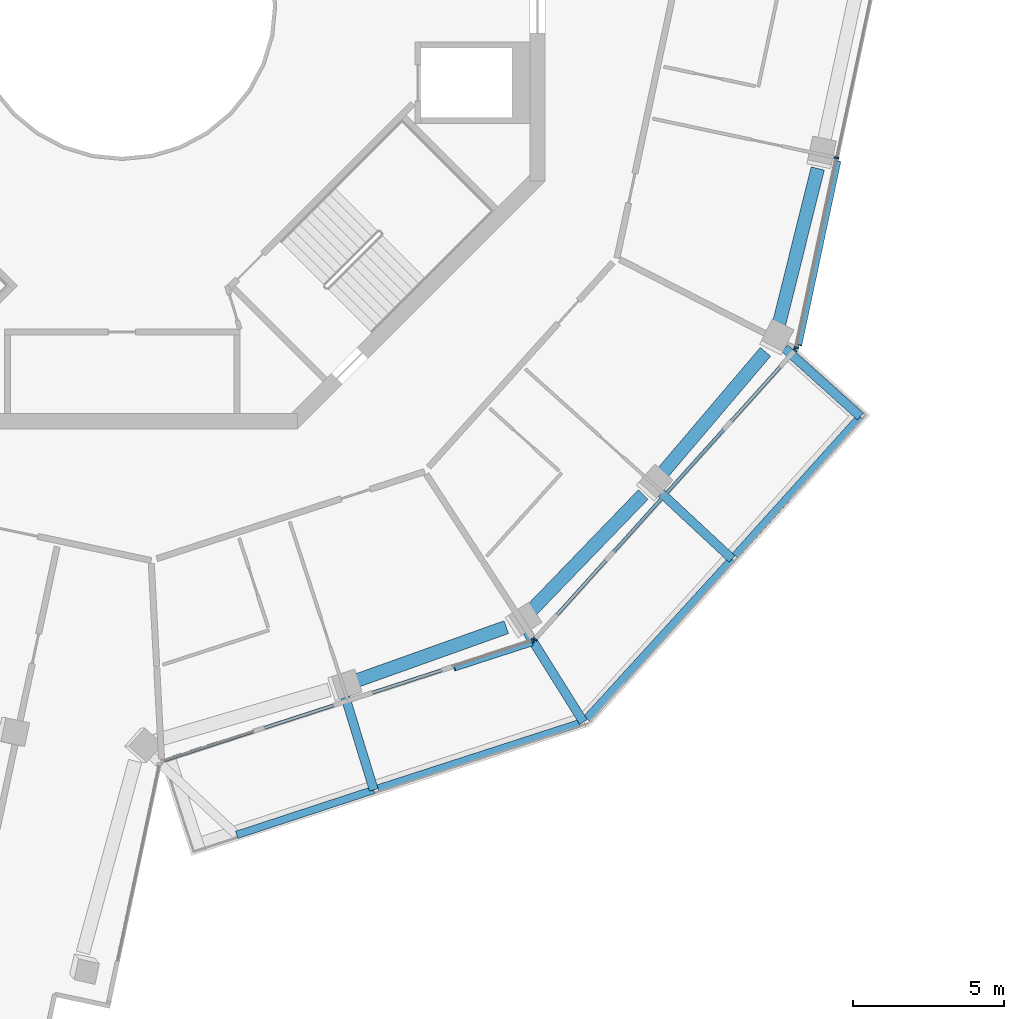
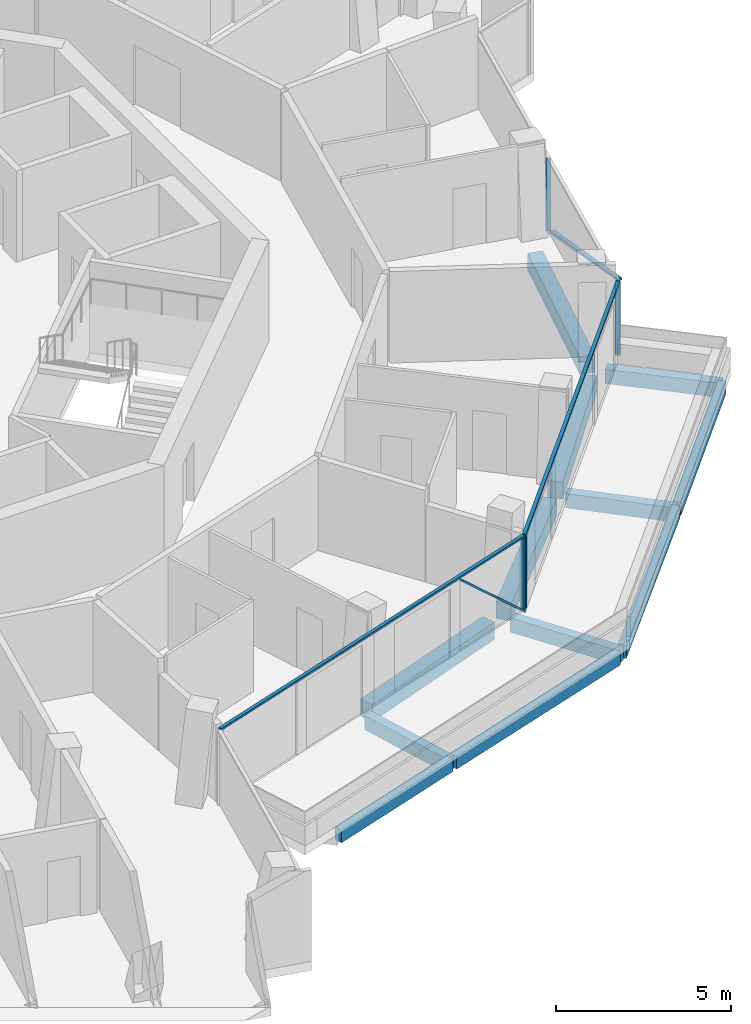
# One storey, part 4 of 22: 12 beams, 9 members, 3 elements without a shape of their own.
"""IFC4 building model written with IfcOpenShell, lengths in metres."""

import ifcopenshell
import ifcopenshell.guid

model = None  # the IFC model being written
_history = None  # IfcOwnerHistory: only IFC2X3 demands one
_inside = {}  # id of a spatial element -> (the spatial element, [elements in it])
_under = {}  # id of a project, library or spatial element -> (it, [spatial elements below it])
_declared = {}  # id of a project -> (the project, [libraries it declares])
_typed = {}  # id of a type object -> (the type object, [elements of that type])
_made_of = {}  # id of a material, layer set ... -> (it, [elements and type objects made of it])


def new_model(schema):
    """Start an empty IFC model of exactly this schema.

    Asked for "IFC4X3", IfcOpenShell would pick the latest addendum, in which some entities
    have other attributes; the version numbers below select the first issue.
    IFC2X3 requires an IfcOwnerHistory on every rooted entity: one is made here for all.
    """
    global model, _history
    if schema == "IFC4X3":
        model = ifcopenshell.file(schema_version=(4, 3, 0, 0))
    else:
        model = ifcopenshell.file(schema=schema)
    _inside.clear()
    _under.clear()
    _declared.clear()
    _typed.clear()
    _made_of.clear()
    _history = None
    if model.schema == "IFC2X3":
        org = make("IfcOrganization", Name="unknown")
        user = make(
            "IfcPersonAndOrganization",
            ThePerson=make("IfcPerson", FamilyName="unknown"),
            TheOrganization=org,
        )
        app = make(
            "IfcApplication",
            ApplicationDeveloper=org,
            Version="unknown",
            ApplicationFullName="unknown",
            ApplicationIdentifier="unknown",
        )
        _history = make(
            "IfcOwnerHistory",
            OwningUser=user,
            OwningApplication=app,
            ChangeAction="ADDED",
            CreationDate=0,
        )
    return model


def make(cls, **values):
    """One entity of the class cls with the attributes given. An attribute that is None is left unset."""
    return model.create_entity(
        cls, **{name: value for name, value in values.items() if value is not None}
    )


def rooted(cls, **values):
    """An entity with a GlobalId (a new one), such as an element, a storey or a relation."""
    return make(cls, GlobalId=ifcopenshell.guid.new(), OwnerHistory=_history, **values)


def si_unit(unit_type, name, prefix=None):
    """IfcSIUnit, for example si_unit("LENGTHUNIT", "METRE", prefix="MILLI")."""
    return make("IfcSIUnit", UnitType=unit_type, Prefix=prefix, Name=name)


def assignment(units):
    """IfcUnitAssignment: the units of a project."""
    return None if units is None else make("IfcUnitAssignment", Units=units)


def point(xyz):
    """IfcCartesianPoint."""
    return None if xyz is None else make("IfcCartesianPoint", Coordinates=xyz)


def direction(xyz):
    """IfcDirection."""
    return None if xyz is None else make("IfcDirection", DirectionRatios=xyz)


def frame(location, z_axis=None, x_axis=None):
    """IfcAxis2Placement3D, a coordinate frame: its origin and axes. An axis left out is left unset."""
    return make(
        "IfcAxis2Placement3D",
        Location=point(location),
        Axis=direction(z_axis),
        RefDirection=direction(x_axis),
    )


def frame_2d(location, x_axis=None):
    """IfcAxis2Placement2D, a coordinate frame in the plane: its origin and x axis."""
    return make(
        "IfcAxis2Placement2D", Location=point(location), RefDirection=direction(x_axis)
    )


def origin():
    """The frame at (0, 0, 0) with its axes left unset."""
    return frame((0.0, 0.0, 0.0))


def origin_2d():
    """The frame at (0, 0) in the plane with its x axis left unset."""
    return frame_2d((0.0, 0.0))


def place(relative_to, where):
    """IfcLocalPlacement: puts the frame where relative to a parent placement (None: the world)."""
    return make(
        "IfcLocalPlacement", PlacementRelTo=relative_to, RelativePlacement=where
    )


def context(
    kind, dimensions, precision=None, world=None, true_north=None, identifier=None
):
    """IfcGeometricRepresentationContext, for example the 3D "Model" context."""
    return make(
        "IfcGeometricRepresentationContext",
        ContextIdentifier=identifier,
        ContextType=kind,
        CoordinateSpaceDimension=dimensions,
        Precision=precision,
        WorldCoordinateSystem=world,
        TrueNorth=true_north,
    )


def subcontext(parent, identifier, kind, view, scale=None):
    """IfcGeometricRepresentationSubContext, for example "Body" below "Model"."""
    return make(
        "IfcGeometricRepresentationSubContext",
        ContextIdentifier=identifier,
        ContextType=kind,
        ParentContext=parent,
        TargetScale=scale,
        TargetView=view,
    )


def project(units=None, contexts=None):
    """IfcProject with its units and contexts."""
    return rooted(
        "IfcProject",
        Name="project",
        RepresentationContexts=contexts,
        UnitsInContext=assignment(units),
    )


def spatial(cls, under=None, at=None, **own):
    """A site, building, storey or space (cls), placed at a placement, below another one or the project."""
    s = rooted(cls, ObjectPlacement=at, **own)
    if under is not None:
        _under.setdefault(under.id(), (under, []))[1].append(s)
    return s


def profile(cls, at=None, kind="AREA", **sizes):
    """A parametric profile (cls). Its sizes go by their IFC names, for example OverallWidth=200.0."""
    return make(cls, ProfileType=kind, Position=at, **sizes)


def rectangle(**sizes):
    """IfcRectangleProfileDef."""
    return profile("IfcRectangleProfileDef", **sizes)


def extrude(swept, where, along, depth):
    """IfcExtrudedAreaSolid: the profile swept, set in the frame where, extruded along a direction by depth."""
    return make(
        "IfcExtrudedAreaSolid",
        SweptArea=swept,
        Position=where,
        ExtrudedDirection=direction(along),
        Depth=depth,
    )


def shape(context_of_items, identifier, shape_type, items):
    """IfcShapeRepresentation: the items that make up one representation, for example the "Body"."""
    return make(
        "IfcShapeRepresentation",
        ContextOfItems=context_of_items,
        RepresentationIdentifier=identifier,
        RepresentationType=shape_type,
        Items=items,
    )


def material(Name=None, Category=None):
    """IfcMaterial."""
    return make("IfcMaterial", Name=Name, Category=Category)


def layer(
    of_material, thickness, ventilated=None, Name=None, Category=None, Priority=None
):
    """IfcMaterialLayer: one layer of a wall or slab, of a material (None: an air gap)."""
    return make(
        "IfcMaterialLayer",
        Material=of_material,
        LayerThickness=thickness,
        IsVentilated=ventilated,
        Name=Name,
        Category=Category,
        Priority=Priority,
    )


def layer_set(layers, Name=None):
    """IfcMaterialLayerSet."""
    return make("IfcMaterialLayerSet", MaterialLayers=layers, LayerSetName=Name)


def material_profile(
    of_material, cross_section, Name=None, Category=None, Priority=None
):
    """IfcMaterialProfile: a cross section and its material."""
    return make(
        "IfcMaterialProfile",
        Name=Name,
        Material=of_material,
        Profile=cross_section,
        Priority=Priority,
        Category=Category,
    )


def profile_set(profiles, Name=None, composite=None):
    """IfcMaterialProfileSet."""
    return make(
        "IfcMaterialProfileSet",
        Name=Name,
        MaterialProfiles=profiles,
        CompositeProfile=composite,
    )


def made_of(thing, what):
    """Note that an element or type object is made of a material, layer set ...; save() writes the relation."""
    if what is not None:
        _made_of.setdefault(what.id(), (what, []))[1].append(thing)
    return thing


def type_object(cls, material=None, **own):
    """A type object (cls), such as IfcWallType, which elements share."""
    return made_of(rooted(cls, **own), material)


def element(
    cls,
    number,
    at=None,
    inside=None,
    cuts=None,
    type_object=None,
    material=None,
    context=None,
    identifier="Body",
    shape_type=None,
    held_by="IfcProductDefinitionShape",
    body=None,
    shapes=None,
    **own,
):
    """One element of the class cls, such as IfcWall. Its Tag is "e" and its number.

    at: its placement. inside: the storey or other place that contains it. cuts: it is an
    opening in that element (IfcRelVoidsElement). A single representation is given by context,
    identifier, shape_type and body (its items); several are given by shapes. held_by: the class
    of the entity that holds the representations. save() writes the other relations.
    """
    e = rooted(cls, Tag="e%d" % number, ObjectPlacement=at, **own)
    if body is not None:
        shapes = [shape(context, identifier, shape_type, body)]
    if shapes is not None:
        e.Representation = make(held_by, Representations=shapes)
    if inside is not None:
        _inside.setdefault(inside.id(), (inside, []))[1].append(e)
    if cuts is not None:
        rooted(
            "IfcRelVoidsElement", RelatingBuildingElement=cuts, RelatedOpeningElement=e
        )
    if type_object is not None:
        _typed.setdefault(type_object.id(), (type_object, []))[1].append(e)
    return made_of(e, material)


def aggregate(whole, parts):
    """IfcRelAggregates: a whole, such as a stair, and the parts it consists of."""
    return rooted("IfcRelAggregates", RelatingObject=whole, RelatedObjects=parts)


def save(model, path):
    """Write the relations noted so far, then the file.

    IfcRelAggregates (storeys below a building ...), IfcRelContainedInSpatialStructure (elements
    in a storey), IfcRelDefinesByType, IfcRelAssociatesMaterial and IfcRelDeclares: one each for
    every whole, place, type object, material and project.
    """
    for whole, parts in _under.values():
        aggregate(whole, parts)
    for where, things in _inside.values():
        rooted(
            "IfcRelContainedInSpatialStructure",
            RelatedElements=things,
            RelatingStructure=where,
        )
    for kind, things in _typed.values():
        rooted("IfcRelDefinesByType", RelatedObjects=things, RelatingType=kind)
    for what, things in _made_of.values():
        rooted("IfcRelAssociatesMaterial", RelatedObjects=things, RelatingMaterial=what)
    for by, libraries in _declared.values():
        rooted("IfcRelDeclares", RelatingContext=by, RelatedDefinitions=libraries)
    model.write(path)


model = new_model("IFC4")

# Units and contexts
model_context = context("Model", 3, precision=1e-05, world=origin(), true_north=direction((0.0, 1.0)))
body_context = subcontext(model_context, "Body", "Model", "MODEL_VIEW")
ifc_project = project(units=[si_unit("LENGTHUNIT", "METRE"), si_unit("AREAUNIT", "SQUARE_METRE"), si_unit("VOLUMEUNIT", "CUBIC_METRE"), si_unit("PLANEANGLEUNIT", "RADIAN"), si_unit("MASSUNIT", "GRAM", prefix="KILO")], contexts=[model_context])

# Site, building, storey
site_placement = place(None, origin())
site = spatial("IfcSite", under=ifc_project, at=site_placement, CompositionType="ELEMENT")
building_placement = place(site_placement, origin())
building = spatial("IfcBuilding", under=site, at=building_placement, Name="Verdalira Terraces Hotel", CompositionType="ELEMENT")
storey_placement = place(building_placement, frame((0.0, 0.0, 230.5)))
storey = spatial("IfcBuildingStorey", under=building, at=storey_placement, Name="L56", CompositionType="ELEMENT", Elevation=230.5)

# Beams
ifc_material_1 = material(Name="Concrete C40", Category="concrete")
ifc_material_profile_1 = material_profile(ifc_material_1, rectangle(XDim=0.300049, YDim=0.5, at=origin_2d()), Name="RC 300X500")
ifc_profile_set_1 = profile_set([ifc_material_profile_1], Name="Concrete C40")
beam_type_1 = type_object("IfcBeamType", Name="Balcony cantilever beam RC 300X500 C40", PredefinedType="BEAM", material=ifc_profile_set_1)
beam_1_placement = place(storey_placement, frame((7.394531, -22.893311, -0.560059), z_axis=(0.293045871, -0.956098383, 0.0), x_axis=(0.956098383, 0.293045871, 0.0)))
element("IfcBeam", 1, at=beam_1_placement, inside=storey, type_object=beam_type_1, Name="Balcony cantilever beam R25-2", PredefinedType="BEAM", context=body_context, shape_type="SweptSolid", body=[
    extrude(rectangle(XDim=0.300049, YDim=0.5, at=origin_2d()), origin(), (0.0, 0.0, 1.0), 3.200928),
])
beam_2_placement = place(storey_placement, frame((13.408691, -20.726318, -0.560059), z_axis=(0.530548422, -0.84765463, 0.0), x_axis=(0.84765463, 0.530548422, 0.0)))
element("IfcBeam", 2, at=beam_2_placement, inside=storey, type_object=beam_type_1, Name="Balcony cantilever beam R25-3", PredefinedType="BEAM", context=body_context, shape_type="SweptSolid", body=[
    extrude(rectangle(XDim=0.300049, YDim=0.5, at=origin_2d()), origin(), (0.0, 0.0, 1.0), 3.513916),
])
beam_3_placement = place(storey_placement, frame((17.850586, -16.128906, -0.560059), z_axis=(0.731828387, -0.681488967, 0.0), x_axis=(0.681488967, 0.731828387, 0.0)))
element("IfcBeam", 3, at=beam_3_placement, inside=storey, type_object=beam_type_1, Name="Balcony cantilever beam R25-4", PredefinedType="BEAM", context=body_context, shape_type="SweptSolid", body=[
    extrude(rectangle(XDim=0.300049, YDim=0.5, at=origin_2d()), origin(), (0.0, 0.0, 1.0), 3.200928),
])
beam_4_placement = place(storey_placement, frame((21.928711, -11.333496, -0.560059), z_axis=(0.743136029, -0.669140376, 0.0), x_axis=(0.669140376, 0.743136029, 0.0)))
element("IfcBeam", 4, at=beam_4_placement, inside=storey, type_object=beam_type_1, Name="Balcony cantilever beam R25-5", PredefinedType="BEAM", context=body_context, shape_type="SweptSolid", body=[
    extrude(rectangle(XDim=0.300049, YDim=0.5, at=origin_2d()), origin(), (0.0, 0.0, 1.0), 3.378662),
])
ifc_material_2 = material(Name="Concrete C40", Category="concrete")
ifc_material_profile_2 = material_profile(ifc_material_2, rectangle(XDim=0.25, YDim=0.449951, at=origin_2d()), Name="RC 250X450")
ifc_profile_set_2 = profile_set([ifc_material_profile_2], Name="Concrete C40")
beam_type_2 = type_object("IfcBeamType", Name="Balcony edge beam RC 250X450 C40", PredefinedType="BEAM", material=ifc_profile_set_2)
beam_5_placement = place(storey_placement, frame((3.792236, -27.442139, -0.534912), z_axis=(0.950235244, 0.311533273, 0.0), x_axis=(-0.311533273, 0.950235244, 0.0)))
element("IfcBeam", 5, at=beam_5_placement, inside=storey, type_object=beam_type_2, Name="Balcony edge beam R25-1", PredefinedType="BEAM", context=body_context, shape_type="SweptSolid", body=[
    extrude(rectangle(XDim=0.25, YDim=0.449951, at=origin_2d()), origin(), (0.0, 0.0, 1.0), 4.778076),
])
beam_6_placement = place(storey_placement, frame((8.475098, -25.907471, -0.534912), z_axis=(0.951317497, 0.308212621, 0.0), x_axis=(-0.308212621, 0.951317497, 0.0)))
element("IfcBeam", 6, at=beam_6_placement, inside=storey, type_object=beam_type_2, Name="Balcony edge beam R25-2", PredefinedType="BEAM", context=body_context, shape_type="SweptSolid", body=[
    extrude(rectangle(XDim=0.25, YDim=0.449951, at=origin_2d()), origin(), (0.0, 0.0, 1.0), 6.991211),
])
beam_7_placement = place(storey_placement, frame((15.37793, -23.589844, -0.534912), z_axis=(0.673867437, 0.73885227, 0.0), x_axis=(-0.73885227, 0.673867437, 0.0)))
element("IfcBeam", 7, at=beam_7_placement, inside=storey, type_object=beam_type_2, Name="Balcony edge beam R25-3", PredefinedType="BEAM", context=body_context, shape_type="SweptSolid", body=[
    extrude(rectangle(XDim=0.25, YDim=0.449951, at=origin_2d()), origin(), (0.0, 0.0, 1.0), 7.145508),
])
beam_8_placement = place(storey_placement, frame((20.293457, -18.19873, -0.534912), z_axis=(0.669138869, 0.743137385, 0.0), x_axis=(-0.743137385, 0.669138869, 0.0)))
element("IfcBeam", 8, at=beam_8_placement, inside=storey, type_object=beam_type_2, Name="Balcony edge beam R25-4", PredefinedType="BEAM", context=body_context, shape_type="SweptSolid", body=[
    extrude(rectangle(XDim=0.25, YDim=0.449951, at=origin_2d()), origin(), (0.0, 0.0, 1.0), 6.196045),
])

# Curtain wall, member
ifc_material_3 = material(Name="Clear glass", Category="glass")
ifc_layer = layer(ifc_material_3, 0.14990234375)
ifc_layer_set = layer_set([ifc_layer], Name="CW1 curtain wall")
curtain_wall_type = type_object("IfcCurtainWallType", Name="CW1 curtain wall", PredefinedType="NOTDEFINED", material=ifc_layer_set)
curtain_wall_1_placement = place(storey_placement, origin())
curtain_wall_1 = element("IfcCurtainWall", 9, at=curtain_wall_1_placement, inside=storey, type_object=curtain_wall_type, Name="CW1 curtain wall L56 edge 25", PredefinedType="NOTDEFINED")
ifc_material_4 = material(Name="Terracotta frame", Category="masonry")
ifc_material_profile_3 = material_profile(ifc_material_4, rectangle(XDim=0.060059, YDim=0.149902, at=origin_2d()), Name="MU 60x150")
ifc_profile_set_3 = profile_set([ifc_material_profile_3], Name="Terracotta frame")
member_type_1 = type_object("IfcMemberType", Name="CW1 mullion 60x150", PredefinedType="MULLION", material=ifc_profile_set_3)
member_1_placement = place(storey_placement, frame((13.588135, -21.012695, 0.0), z_axis=(0.0, 0.0, 1.0), x_axis=(0.951056516, 0.309016994, 0.0)))
member_1 = element("IfcMember", 10, at=member_1_placement, type_object=member_type_1, Name="CW1 mullion", PredefinedType="MULLION", context=body_context, shape_type="SweptSolid", body=[
    extrude(rectangle(XDim=0.060059, YDim=0.149902, at=origin_2d()), origin(), (0.0, 0.0, 1.0), 2.524902),
])

# Curtain wall, members
curtain_wall_2_placement = place(storey_placement, origin())
curtain_wall_2 = element("IfcCurtainWall", 11, at=curtain_wall_2_placement, inside=storey, type_object=curtain_wall_type, Name="CW1 curtain wall L56 edge 26", PredefinedType="NOTDEFINED")
member_2_placement = place(storey_placement, frame((13.669434, -20.960205, 0.0), z_axis=(0.0, 0.0, 1.0), x_axis=(0.669130606, 0.743144825, 0.0)))
member_2 = element("IfcMember", 12, at=member_2_placement, type_object=member_type_1, Name="CW1 mullion", PredefinedType="MULLION", context=body_context, shape_type="SweptSolid", body=[
    extrude(rectangle(XDim=0.060059, YDim=0.149902, at=origin_2d()), origin(), (0.0, 0.0, 1.0), 2.524902),
])
member_3_placement = place(storey_placement, frame((22.27417, -11.403564, 0.0), z_axis=(0.0, 0.0, 1.0), x_axis=(0.669130606, 0.743144825, 0.0)))
member_3 = element("IfcMember", 13, at=member_3_placement, type_object=member_type_1, Name="CW1 mullion", PredefinedType="MULLION", context=body_context, shape_type="SweptSolid", body=[
    extrude(rectangle(XDim=0.060059, YDim=0.149902, at=origin_2d()), origin(), (0.0, 0.0, 1.0), 2.524902),
])

curtain_wall_3_placement = place(storey_placement, origin())
curtain_wall_3 = element("IfcCurtainWall", 14, at=curtain_wall_3_placement, inside=storey, type_object=curtain_wall_type, Name="CW1 curtain wall L56 edge 27", PredefinedType="NOTDEFINED")
member_4_placement = place(storey_placement, frame((22.318115, -11.317383, 0.0), z_axis=(0.0, 0.0, 1.0), x_axis=(0.207911691, 0.978147601, 0.0)))
member_4 = element("IfcMember", 15, at=member_4_placement, type_object=member_type_1, Name="CW1 mullion", PredefinedType="MULLION", context=body_context, shape_type="SweptSolid", body=[
    extrude(rectangle(XDim=0.060059, YDim=0.149902, at=origin_2d()), origin(), (0.0, 0.0, 1.0), 2.524902),
])
member_5_placement = place(storey_placement, frame((23.654785, -5.028076, 0.0), z_axis=(0.0, 0.0, 1.0), x_axis=(0.207911691, 0.978147601, 0.0)))
member_5 = element("IfcMember", 16, at=member_5_placement, type_object=member_type_1, Name="CW1 mullion", PredefinedType="MULLION", context=body_context, shape_type="SweptSolid", body=[
    extrude(rectangle(XDim=0.060059, YDim=0.149902, at=origin_2d()), origin(), (0.0, 0.0, 1.0), 2.524902),
])

# Member
ifc_material_5 = material(Name="Terracotta frame", Category="masonry")
ifc_material_profile_4 = material_profile(ifc_material_5, rectangle(XDim=0.110107, YDim=0.064941, at=origin_2d()), Name="TR 65x110")
ifc_profile_set_4 = profile_set([ifc_material_profile_4], Name="Terracotta frame")
member_type_2 = type_object("IfcMemberType", Name="CW1 transom 65x110", PredefinedType="USERDEFINED", material=ifc_profile_set_4)
member_6_placement = place(storey_placement, frame((1.29126, -25.008301, 2.557617), z_axis=(0.95105414, 0.309024307, 0.0), x_axis=(-0.309024307, 0.95105414, 0.0)))
member_6 = element("IfcMember", 17, at=member_6_placement, type_object=member_type_2, Name="CW1 transom", ObjectType="TRANSOM", PredefinedType="USERDEFINED", context=body_context, shape_type="SweptSolid", body=[
    extrude(rectangle(XDim=0.110107, YDim=0.064941, at=origin_2d()), origin(), (0.0, 0.0, 1.0), 12.959717),
])

member_7_placement = place(storey_placement, frame((13.64917, -20.982422, 2.557617), z_axis=(0.669138022, 0.743138149, 0.0), x_axis=(-0.743138149, 0.669138022, 0.0)))
member_7 = element("IfcMember", 18, at=member_7_placement, type_object=member_type_2, Name="CW1 transom", ObjectType="TRANSOM", PredefinedType="USERDEFINED", context=body_context, shape_type="SweptSolid", body=[
    extrude(rectangle(XDim=0.110107, YDim=0.064941, at=origin_2d()), origin(), (0.0, 0.0, 1.0), 12.919678),
])

aggregate(curtain_wall_2, [member_2, member_3, member_7])

ifc_material_6 = material(Name="Terracotta frame", Category="masonry")
ifc_material_profile_5 = material_profile(ifc_material_6, rectangle(XDim=0.149902, YDim=0.060059, at=origin_2d()), Name="GB 60x150")
ifc_profile_set_5 = profile_set([ifc_material_profile_5], Name="Terracotta frame")
member_type_3 = type_object("IfcMemberType", Name="Diagonal glazing bar 60x150", PredefinedType="USERDEFINED", material=ifc_profile_set_5)
member_8_placement = place(storey_placement, frame((11.006836, -21.945068, 2.501709), z_axis=(0.699186041, 0.227185378, -0.677883238), x_axis=(-0.309024453, 0.951054093, 0.0)))
member_8 = element("IfcMember", 19, at=member_8_placement, type_object=member_type_3, Name="Diagonal glazing bar", ObjectType="GLAZING BAR", PredefinedType="USERDEFINED", context=body_context, shape_type="SweptSolid", body=[
    extrude(rectangle(XDim=0.149902, YDim=0.060059, at=origin_2d()), origin(), (0.0, 0.0, 1.0), 3.656006),
])

aggregate(curtain_wall_1, [member_1, member_6, member_8])

member_9_placement = place(storey_placement, frame((22.42627, -11.23584, 2.496338), z_axis=(0.193294414, 0.909307671, -0.368506212), x_axis=(-0.978144297, 0.207927234, 0.0)))
member_9 = element("IfcMember", 20, at=member_9_placement, type_object=member_type_3, Name="Diagonal glazing bar", ObjectType="GLAZING BAR", PredefinedType="USERDEFINED", context=body_context, shape_type="SweptSolid", body=[
    extrude(rectangle(XDim=0.149902, YDim=0.060059, at=origin_2d()), origin(), (0.0, 0.0, 1.0), 6.696777),
])

aggregate(curtain_wall_3, [member_4, member_5, member_9])

# Beams
ifc_material_7 = material(Name="Concrete C40", Category="concrete")
ifc_material_profile_6 = material_profile(ifc_material_7, rectangle(XDim=0.449951, YDim=0.600098, at=origin_2d()), Name="RC 450X600")
ifc_profile_set_6 = profile_set([ifc_material_profile_6], Name="Concrete C40")
beam_type_3 = type_object("IfcBeamType", Name="Spandrel beam RC 450X600 C40", PredefinedType="SPANDREL", material=ifc_profile_set_6)
beam_9_placement = place(storey_placement, frame((7.638428, -22.380615, -0.610107), z_axis=(0.94173372, 0.336359333, 0.0), x_axis=(-0.336359333, 0.94173372, 0.0)))
element("IfcBeam", 21, at=beam_9_placement, inside=storey, type_object=beam_type_3, Name="Spandrel beam B12", PredefinedType="SPANDREL", context=body_context, shape_type="SweptSolid", body=[
    extrude(rectangle(XDim=0.449951, YDim=0.600098, at=origin_2d()), origin(), (0.0, 0.0, 1.0), 5.394287),
])
beam_10_placement = place(storey_placement, frame((13.503906, -20.057129, -0.610107), z_axis=(0.694533962, 0.719459919, 0.0), x_axis=(-0.719459919, 0.694533962, 0.0)))
element("IfcBeam", 22, at=beam_10_placement, inside=storey, type_object=beam_type_3, Name="Spandrel beam B13", PredefinedType="SPANDREL", context=body_context, shape_type="SweptSolid", body=[
    extrude(rectangle(XDim=0.449951, YDim=0.600098, at=origin_2d()), origin(), (0.0, 0.0, 1.0), 5.396729),
])
beam_11_placement = place(storey_placement, frame((17.80542, -15.562988, -0.610107), z_axis=(0.647385629, 0.762162612, 0.0), x_axis=(-0.762162612, 0.647385629, 0.0)))
element("IfcBeam", 23, at=beam_11_placement, inside=storey, type_object=beam_type_3, Name="Spandrel beam B14", PredefinedType="SPANDREL", context=body_context, shape_type="SweptSolid", body=[
    extrude(rectangle(XDim=0.449951, YDim=0.600098, at=origin_2d()), origin(), (0.0, 0.0, 1.0), 5.394287),
])
beam_12_placement = place(storey_placement, frame((21.723389, -10.618164, -0.610107), z_axis=(0.241747885, 0.970339095, 0.0), x_axis=(-0.970339095, 0.241747885, 0.0)))
element("IfcBeam", 24, at=beam_12_placement, inside=storey, type_object=beam_type_3, Name="Spandrel beam B15", PredefinedType="SPANDREL", context=body_context, shape_type="SweptSolid", body=[
    extrude(rectangle(XDim=0.449951, YDim=0.600098, at=origin_2d()), origin(), (0.0, 0.0, 1.0), 5.396973),
])

save(model, "model.ifc")
